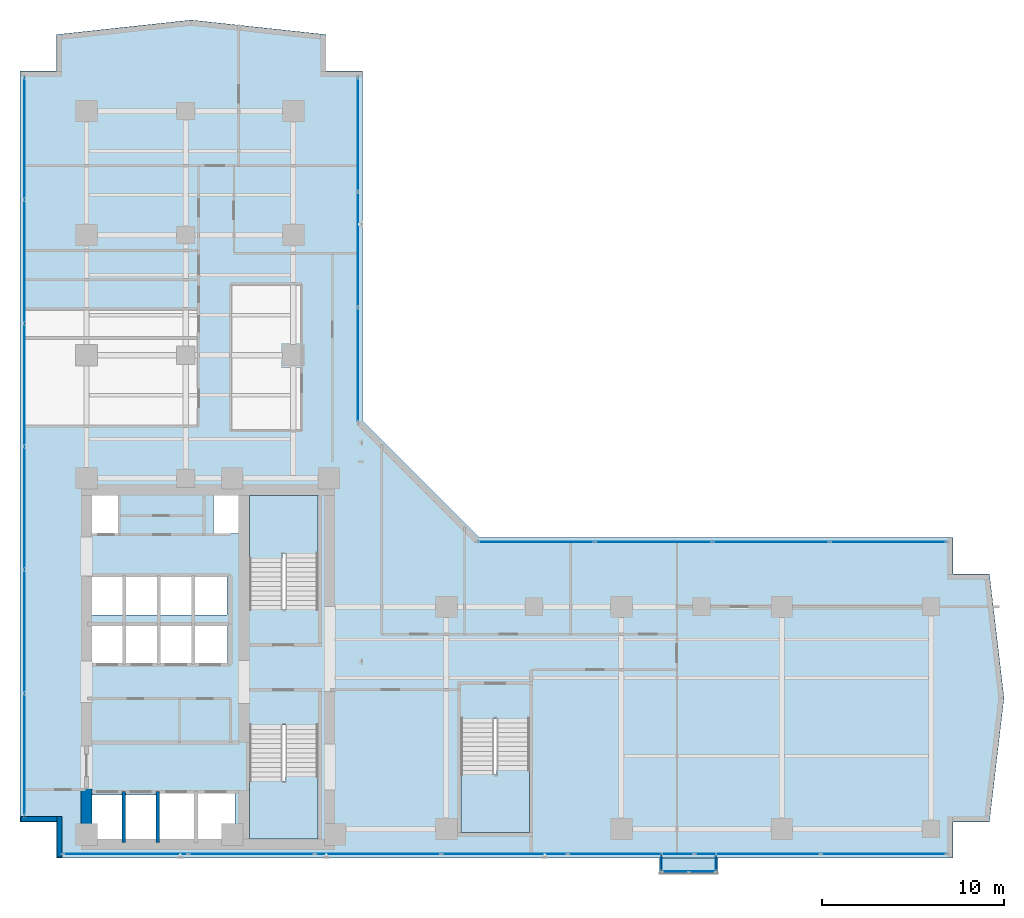
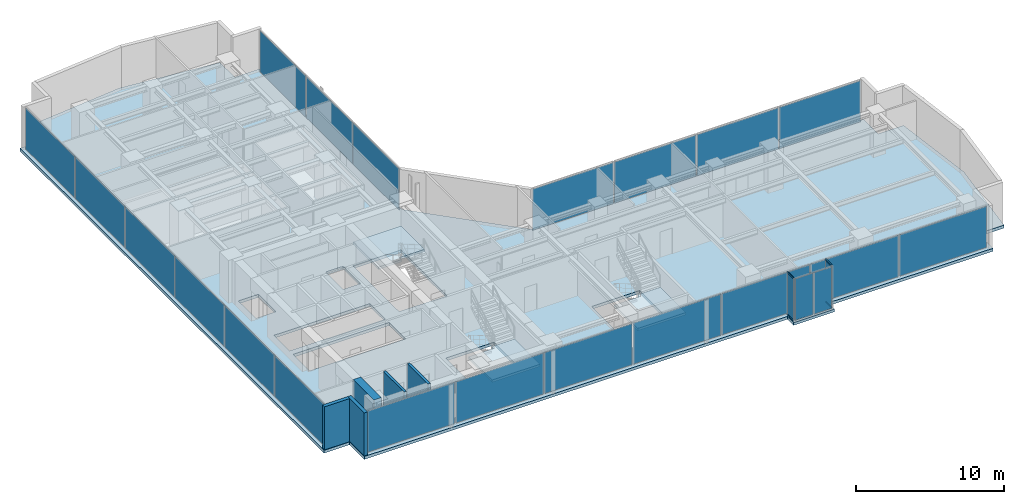
# One storey, part 18 of 26: 24 plates, 5 slabs, 5 walls, 4 members, 10 elements without a shape of their own.
"""IFC4 building model written with IfcOpenShell, lengths in metres."""

from ifc_helpers import new_model, si_unit, direction, frame, frame_2d, origin, origin_with_axes, origin_2d, place, context, subcontext, project, spatial, polyline, rectangle, hollow_rectangle, outline, extrude, source, transform, mapped, material, layer, layer_set, material_profile, profile_set, type_object, element, aggregate, save


model = new_model("IFC4")

# Units and contexts
model_context = context("Model", 3, precision=1e-05, world=origin(), true_north=direction((0.0, 1.0)))
body_context = subcontext(model_context, "Body", "Model", "MODEL_VIEW")
ifc_project = project(units=[si_unit("LENGTHUNIT", "METRE"), si_unit("AREAUNIT", "SQUARE_METRE"), si_unit("VOLUMEUNIT", "CUBIC_METRE"), si_unit("PLANEANGLEUNIT", "RADIAN"), si_unit("MASSUNIT", "GRAM", prefix="KILO")], contexts=[model_context])

# Site, building, storey
site_placement = place(None, origin())
site = spatial("IfcSite", under=ifc_project, at=site_placement, CompositionType="ELEMENT")
building_placement = place(site_placement, origin())
building = spatial("IfcBuilding", under=site, at=building_placement, Name="Kolvaren Waterfront Exchange", CompositionType="ELEMENT")
storey_placement = place(building_placement, frame((0.0, 0.0, 150.0)))
storey = spatial("IfcBuildingStorey", under=building, at=storey_placement, Name="L38", CompositionType="ELEMENT", Elevation=150.0)

# Curtain wall, members
ifc_material_1 = material(Name="Anodised bronze aluminium 6063-T6", Category="aluminium")
ifc_layer_1 = layer(ifc_material_1, 0.219970703125, Name="Anodised bronze aluminium 6063-T6")
ifc_layer_set_1 = layer_set([ifc_layer_1], Name="Anodised bronze aluminium 6063-T6")
curtain_wall_type_1 = type_object("IfcCurtainWallType", Name="ARC-CW-SYS3", PredefinedType="USERDEFINED", material=ifc_layer_set_1)
curtain_wall_1_placement = place(storey_placement, origin())
curtain_wall_1 = element("IfcCurtainWall", 1, at=curtain_wall_1_placement, inside=storey, type_object=curtain_wall_type_1, Name="L38 stick curtain wall CW3 (CW-L38-BOX-W)", ObjectType="STICK CURTAIN WALL", PredefinedType="USERDEFINED")
ifc_material_profile = material_profile(ifc_material_1, hollow_rectangle(XDim=0.06494140625, YDim=0.1298828125, WallThickness=0.00390625, at=origin_2d()), Name="ALU-TRN-130x65x4")
ifc_profile_set = profile_set([ifc_material_profile], Name="Anodised bronze aluminium 6063-T6")
member_type = type_object("IfcMemberType", Name="ARC-CWT-130", PredefinedType="USERDEFINED", material=ifc_profile_set)
shared_shape_1 = source(origin_with_axes(), body_context, "Body", "SweptSolid", [
    extrude(hollow_rectangle(XDim=0.06494140625, YDim=0.1298828125, WallThickness=0.00390625, at=origin_2d()), origin(), (0.0, 0.0, 1.0), 0.829833984375),
])
member_1_placement = place(storey_placement, frame((39.010009765625, 3.764892578125, 0.032470703125), z_axis=(0.0, -1.0, 0.0), x_axis=(1.0, 0.0, 0.0)))
member_1 = element("IfcMember", 2, at=member_1_placement, type_object=member_type, Name="CW3 transom 1.1", ObjectType="TRANSOM", PredefinedType="USERDEFINED", context=body_context, shape_type="MappedRepresentation", body=[
    mapped(shared_shape_1, transform((0.0, 0.0, 0.0), x_axis=(1.0, 0.0, 0.0), y_axis=(0.0, 1.0, 0.0), z_axis=(0.0, 0.0, 1.0), scale=1.0)),
])
member_2_placement = place(storey_placement, frame((39.010009765625, 3.764892578125, 3.527587890625), z_axis=(0.0, -1.0, 0.0), x_axis=(1.0, 0.0, 0.0)))
member_2 = element("IfcMember", 3, at=member_2_placement, type_object=member_type, Name="CW3 transom 1.2", ObjectType="TRANSOM", PredefinedType="USERDEFINED", context=body_context, shape_type="MappedRepresentation", body=[
    mapped(shared_shape_1, transform((0.0, 0.0, 0.0), x_axis=(1.0, 0.0, 0.0), y_axis=(0.0, 1.0, 0.0), z_axis=(0.0, 0.0, 1.0), scale=1.0)),
])

curtain_wall_2_placement = place(storey_placement, origin())
curtain_wall_2 = element("IfcCurtainWall", 4, at=curtain_wall_2_placement, inside=storey, type_object=curtain_wall_type_1, Name="L38 stick curtain wall CW3 (CW-L38-BOX-E)", ObjectType="STICK CURTAIN WALL", PredefinedType="USERDEFINED")
member_3_placement = place(storey_placement, frame((41.989990234375, 2.93505859375, 0.032470703125), z_axis=(0.0, 1.0, 0.0), x_axis=(-1.0, 0.0, 0.0)))
member_3 = element("IfcMember", 5, at=member_3_placement, type_object=member_type, Name="CW3 transom 1.1", ObjectType="TRANSOM", PredefinedType="USERDEFINED", context=body_context, shape_type="MappedRepresentation", body=[
    mapped(shared_shape_1, transform((0.0, 0.0, 0.0), x_axis=(1.0, 0.0, 0.0), y_axis=(0.0, 1.0, 0.0), z_axis=(0.0, 0.0, 1.0), scale=1.0)),
])
member_4_placement = place(storey_placement, frame((41.989990234375, 2.93505859375, 3.527587890625), z_axis=(0.0, 1.0, 0.0), x_axis=(-1.0, 0.0, 0.0)))
member_4 = element("IfcMember", 6, at=member_4_placement, type_object=member_type, Name="CW3 transom 1.2", ObjectType="TRANSOM", PredefinedType="USERDEFINED", context=body_context, shape_type="MappedRepresentation", body=[
    mapped(shared_shape_1, transform((0.0, 0.0, 0.0), x_axis=(1.0, 0.0, 0.0), y_axis=(0.0, 1.0, 0.0), z_axis=(0.0, 0.0, 1.0), scale=1.0)),
])

# Stair, slab
ifc_material_2 = material(Name="Concrete C40/50", Category="concrete")
stair_type = type_object("IfcStairType", Name="ARC-STAIR-3800", PredefinedType="HALF_TURN_STAIR", material=ifc_material_2)
stair_1_placement = place(storey_placement, origin())
stair_1 = element("IfcStair", 7, at=stair_1_placement, inside=storey, type_object=stair_type, Name="L38 Smoke-proof exit stair ST1", PredefinedType="HALF_TURN_STAIR")
ifc_layer_2 = layer(ifc_material_2, 0.199951171875, Name="Concrete C40/50")
ifc_layer_set_2 = layer_set([ifc_layer_2], Name="Concrete C40/50")
slab_type_1 = type_object("IfcSlabType", Name="STR-LANDING-200", PredefinedType="LANDING", material=ifc_layer_set_2)
slab_1_placement = place(storey_placement, frame((0.0, 0.0, 1.77587890625)))
slab_1 = element("IfcSlab", 8, at=slab_1_placement, type_object=slab_type_1, Name="ST1 landing 1", PredefinedType="LANDING", context=body_context, shape_type="SweptSolid", body=[
    extrude(outline(polyline([(16.39990234375, 7.840087890625), (16.39990234375, 4.64990234375), (20.159912109375, 4.64990234375), (20.159912109375, 8.10009765625), (18.360107421875, 8.10009765625), (18.360107421875, 7.840087890625), (16.39990234375, 7.840087890625)])), origin(), (0.0, 0.0, 1.0), 0.2001953125),
])
aggregate(stair_1, [slab_1])

stair_2_placement = place(storey_placement, origin())
stair_2 = element("IfcStair", 9, at=stair_2_placement, inside=storey, type_object=stair_type, Name="L38 Smoke-proof exit stair ST2", PredefinedType="HALF_TURN_STAIR")
slab_2_placement = place(storey_placement, frame((0.0, 0.0, 1.77587890625)))
slab_2 = element("IfcSlab", 10, at=slab_2_placement, type_object=slab_type_1, Name="ST2 landing 1", PredefinedType="LANDING", context=body_context, shape_type="SweptSolid", body=[
    extrude(outline(polyline([(20.159912109375, 20.31005859375), (20.159912109375, 23.5), (16.39990234375, 23.5), (16.39990234375, 20.050048828125), (18.199951171875, 20.050048828125), (18.199951171875, 20.31005859375), (20.159912109375, 20.31005859375)])), origin(), (0.0, 0.0, 1.0), 0.2001953125),
])
aggregate(stair_2, [slab_2])

stair_3_placement = place(storey_placement, origin())
stair_3 = element("IfcStair", 11, at=stair_3_placement, inside=storey, type_object=stair_type, Name="L38 Exit stair ST3", PredefinedType="HALF_TURN_STAIR")
slab_3_placement = place(storey_placement, frame((0.0, 0.0, 1.77587890625)))
slab_3 = element("IfcSlab", 12, at=slab_3_placement, type_object=slab_type_1, Name="ST3 landing 1", PredefinedType="LANDING", context=body_context, shape_type="SweptSolid", body=[
    extrude(outline(polyline([(28.0, 8.18994140625), (28.0, 5.0), (31.760009765625, 5.0), (31.760009765625, 8.449951171875), (29.9599609375, 8.449951171875), (29.9599609375, 8.18994140625), (28.0, 8.18994140625)])), origin(), (0.0, 0.0, 1.0), 0.2001953125),
])
aggregate(stair_3, [slab_3])

# Slabs
ifc_layer_3 = layer(ifc_material_2, 0.239990234375, Name="Concrete C40/50")
ifc_layer_set_3 = layer_set([ifc_layer_3], Name="Concrete C40/50")
slab_type_2 = type_object("IfcSlabType", Name="STR-SLAB-240", PredefinedType="FLOOR", material=ifc_layer_set_3)
slab_4_placement = place(storey_placement, frame((0.0, 0.0, -0.239990234375)))
element("IfcSlab", 13, at=slab_4_placement, inside=storey, type_object=slab_type_2, Name="L38 structural floor slab", PredefinedType="FLOOR", context=body_context, shape_type="SweptSolid", body=[
    extrude(outline(polyline([(5.800048828125, 3.60009765625), (55.0, 3.60009765625), (55.0, 5.60009765625), (57.0, 5.60009765625), (57.800048828125, 12.39990234375), (57.0, 19.199951171875), (55.0, 19.199951171875), (55.0, 21.199951171875), (29.0, 21.199951171875), (22.60009765625, 27.60009765625), (22.60009765625, 46.800048828125), (20.60009765625, 46.800048828125), (20.60009765625, 48.800048828125), (13.199951171875, 49.60009765625), (5.800048828125, 48.800048828125), (5.800048828125, 46.800048828125), (3.800048828125, 46.800048828125), (3.800048828125, 5.60009765625), (5.800048828125, 5.60009765625), (5.800048828125, 3.60009765625)]), holes=[polyline([(11.320068359375, 7.260009765625), (15.610107421875, 7.260009765625), (15.610107421875, 4.5400390625), (7.719970703125, 4.5400390625), (7.719970703125, 7.06005859375), (11.320068359375, 7.06005859375), (11.320068359375, 7.260009765625)]), polyline([(20.159912109375, 10.89990234375), (20.159912109375, 4.64990234375), (16.39990234375, 4.64990234375), (16.39990234375, 10.89990234375), (20.159912109375, 10.89990234375)]), polyline([(31.760009765625, 11.25), (31.760009765625, 5.0), (28.0, 5.0), (28.0, 11.25), (31.760009765625, 11.25)]), polyline([(15.18505859375, 14.239990234375), (7.64501953125, 14.239990234375), (7.64501953125, 16.4599609375), (15.18505859375, 16.4599609375), (15.18505859375, 14.239990234375)]), polyline([(15.159912109375, 16.93994140625), (7.669921875, 16.93994140625), (7.669921875, 19.06005859375), (15.159912109375, 19.06005859375), (15.159912109375, 16.93994140625)]), polyline([(16.39990234375, 23.5), (20.159912109375, 23.5), (20.159912109375, 17.25), (16.39990234375, 17.25), (16.39990234375, 23.5)]), polyline([(7.60009765625, 23.780029296875), (9.179931640625, 23.780029296875), (9.179931640625, 21.419921875), (7.60009765625, 21.419921875), (7.60009765625, 23.780029296875)]), polyline([(15.800048828125, 23.780029296875), (15.800048828125, 21.419921875), (14.419921875, 21.419921875), (14.419921875, 23.780029296875), (15.800048828125, 23.780029296875)])]), origin(), (0.0, 0.0, 1.0), 0.239990234375),
])
ifc_layer_4 = layer(ifc_material_2, 0.219970703125, Name="Concrete C40/50")
ifc_layer_set_4 = layer_set([ifc_layer_4], Name="Concrete C40/50")
slab_type_3 = type_object("IfcSlabType", Name="STR-TERR-220", PredefinedType="FLOOR", material=ifc_layer_set_4)
slab_5_placement = place(storey_placement, frame((0.0, 0.0, -0.219970703125)))
element("IfcSlab", 14, at=slab_5_placement, inside=storey, type_object=slab_type_3, Name="L38 projecting bay-box floor strip", PredefinedType="FLOOR", context=body_context, shape_type="SweptSolid", body=[
    extrude(outline(polyline([(38.89990234375, 2.75), (42.10009765625, 2.75), (42.10009765625, 3.60009765625), (38.89990234375, 3.60009765625), (38.89990234375, 2.75)])), origin(), (0.0, 0.0, 1.0), 0.219970703125),
])

# Plate
ifc_material_3 = material(Name="Bronze tinted bay-box vision glass", Category="aluminium")
ifc_layer_5 = layer(ifc_material_3, 0.02392578125, Name="Bronze tinted bay-box vision glass")
ifc_layer_set_5 = layer_set([ifc_layer_5], Name="Bronze tinted bay-box vision glass")
plate_type_1 = type_object("IfcPlateType", Name="ARC-CWP-24", PredefinedType="CURTAIN_PANEL", material=ifc_layer_set_5)
shared_shape_2 = source(origin_with_axes(), body_context, "Body", "SweptSolid", [
    extrude(rectangle(XDim=0.830078125, YDim=0.02392578125, at=origin_2d()), origin(), (0.0, 0.0, 1.0), 3.429931640625),
])
plate_1_placement = place(storey_placement, frame((39.010009765625, 3.35009765625, 0.06494140625), z_axis=(0.0, 0.0, 1.0), x_axis=(0.0, -1.0, 0.0)))
plate_1 = element("IfcPlate", 15, at=plate_1_placement, type_object=plate_type_1, Name="CW3 panel 1.1", PredefinedType="CURTAIN_PANEL", context=body_context, shape_type="MappedRepresentation", body=[
    mapped(shared_shape_2, transform((0.0, 0.0, 0.0), x_axis=(1.0, 0.0, 0.0), y_axis=(0.0, 1.0, 0.0), z_axis=(0.0, 0.0, 1.0), scale=1.0)),
])

aggregate(curtain_wall_1, [member_1, member_2, plate_1])

plate_2_placement = place(storey_placement, frame((41.989990234375, 3.35009765625, 0.06494140625), z_axis=(0.0, 0.0, 1.0), x_axis=(0.0, 1.0, 0.0)))
plate_2 = element("IfcPlate", 16, at=plate_2_placement, type_object=plate_type_1, Name="CW3 panel 1.1", PredefinedType="CURTAIN_PANEL", context=body_context, shape_type="MappedRepresentation", body=[
    mapped(shared_shape_2, transform((0.0, 0.0, 0.0), x_axis=(1.0, 0.0, 0.0), y_axis=(0.0, 1.0, 0.0), z_axis=(0.0, 0.0, 1.0), scale=1.0)),
])

aggregate(curtain_wall_2, [member_3, member_4, plate_2])

# Curtain wall, plates
curtain_wall_3_placement = place(storey_placement, origin())
curtain_wall_3 = element("IfcCurtainWall", 17, at=curtain_wall_3_placement, inside=storey, type_object=curtain_wall_type_1, Name="L38 stick curtain wall CW3 (CW-L38-BOX)", ObjectType="STICK CURTAIN WALL", PredefinedType="USERDEFINED")
shared_shape_3 = source(origin_with_axes(), body_context, "Body", "SweptSolid", [
    extrude(rectangle(XDim=1.37744140625, YDim=0.02392578125, at=origin_2d()), origin(), (0.0, 0.0, 1.0), 3.429931640625),
])
plate_3_placement = place(storey_placement, frame((39.773681640625, 2.860107421875, 0.06494140625), z_axis=(0.0, 0.0, 1.0), x_axis=(1.0, 0.0, 0.0)))
plate_3 = element("IfcPlate", 18, at=plate_3_placement, type_object=plate_type_1, Name="CW3 panel 1.1", PredefinedType="CURTAIN_PANEL", context=body_context, shape_type="MappedRepresentation", body=[
    mapped(shared_shape_3, transform((0.0, 0.0, 0.0), x_axis=(1.0, 0.0, 0.0), y_axis=(0.0, 1.0, 0.0), z_axis=(0.0, 0.0, 1.0), scale=1.0)),
])
plate_4_placement = place(storey_placement, frame((41.226318359375, 2.860107421875, 0.06494140625), z_axis=(0.0, 0.0, 1.0), x_axis=(1.0, 0.0, 0.0)))
plate_4 = element("IfcPlate", 19, at=plate_4_placement, type_object=plate_type_1, Name="CW3 panel 2.1", PredefinedType="CURTAIN_PANEL", context=body_context, shape_type="MappedRepresentation", body=[
    mapped(shared_shape_3, transform((0.0, 0.0, 0.0), x_axis=(1.0, 0.0, 0.0), y_axis=(0.0, 1.0, 0.0), z_axis=(0.0, 0.0, 1.0), scale=1.0)),
])
aggregate(curtain_wall_3, [plate_3, plate_4])

ifc_layer_6 = layer(ifc_material_1, 0.219970703125, Name="Anodised bronze aluminium 6063-T6")
ifc_layer_set_6 = layer_set([ifc_layer_6], Name="Anodised bronze aluminium 6063-T6")
curtain_wall_type_2 = type_object("IfcCurtainWallType", Name="ARC-CW-SYS1", PredefinedType="USERDEFINED", material=ifc_layer_set_6)
curtain_wall_4_placement = place(storey_placement, origin())
curtain_wall_4 = element("IfcCurtainWall", 20, at=curtain_wall_4_placement, inside=storey, type_object=curtain_wall_type_2, Name="L38 stick curtain wall CW1 (CW-L38-S)", ObjectType="STICK CURTAIN WALL", PredefinedType="USERDEFINED")
ifc_material_4 = material(Name="Bronze solar control vision glass", Category="aluminium")
ifc_layer_7 = layer(ifc_material_4, 0.028076171875, Name="Bronze solar control vision glass")
ifc_layer_set_7 = layer_set([ifc_layer_7], Name="Bronze solar control vision glass")
plate_type_2 = type_object("IfcPlateType", Name="ARC-CWP-28", PredefinedType="CURTAIN_PANEL", material=ifc_layer_set_7)
shared_shape_4 = source(origin_with_axes(), body_context, "Body", "SweptSolid", [
    extrude(rectangle(XDim=6.82275390625, YDim=0.028076171875, at=origin_2d()), origin(), (0.0, 0.0, 1.0), 3.409912109375),
])
plate_5_placement = place(storey_placement, frame((9.59130859375, 3.840087890625, 0.0751953125), z_axis=(0.0, 0.0, 1.0), x_axis=(1.0, 0.0, 0.0)))
plate_5 = element("IfcPlate", 21, at=plate_5_placement, type_object=plate_type_2, Name="CW1 panel 1.1", PredefinedType="CURTAIN_PANEL", context=body_context, shape_type="MappedRepresentation", body=[
    mapped(shared_shape_4, transform((0.0, 0.0, 0.0), x_axis=(1.0, 0.0, 0.0), y_axis=(0.0, 1.0, 0.0), z_axis=(0.0, 0.0, 1.0), scale=1.0)),
])
plate_6_placement = place(storey_placement, frame((51.20849609375, 3.840087890625, 0.0751953125), z_axis=(0.0, 0.0, 1.0), x_axis=(1.0, 0.0, 0.0)))
plate_6 = element("IfcPlate", 22, at=plate_6_placement, type_object=plate_type_2, Name="CW1 panel 7.1", PredefinedType="CURTAIN_PANEL", context=body_context, shape_type="MappedRepresentation", body=[
    mapped(shared_shape_4, transform((0.0, 0.0, 0.0), x_axis=(1.0, 0.0, 0.0), y_axis=(0.0, 1.0, 0.0), z_axis=(0.0, 0.0, 1.0), scale=1.0)),
])
shared_shape_5 = source(origin_with_axes(), body_context, "Body", "SweptSolid", [
    extrude(rectangle(XDim=6.86279296875, YDim=0.028076171875, at=origin_2d()), origin(), (0.0, 0.0, 1.0), 3.409912109375),
])
plate_7_placement = place(storey_placement, frame((16.514404296875, 3.840087890625, 0.0751953125), z_axis=(0.0, 0.0, 1.0), x_axis=(1.0, 0.0, 0.0)))
plate_7 = element("IfcPlate", 23, at=plate_7_placement, type_object=plate_type_2, Name="CW1 panel 2.1", PredefinedType="CURTAIN_PANEL", context=body_context, shape_type="MappedRepresentation", body=[
    mapped(shared_shape_5, transform((0.0, 0.0, 0.0), x_axis=(1.0, 0.0, 0.0), y_axis=(0.0, 1.0, 0.0), z_axis=(0.0, 0.0, 1.0), scale=1.0)),
])
plate_8_placement = place(storey_placement, frame((23.45703125, 3.840087890625, 0.0751953125), z_axis=(0.0, 0.0, 1.0), x_axis=(1.0, 0.0, 0.0)))
plate_8 = element("IfcPlate", 24, at=plate_8_placement, type_object=plate_type_2, Name="CW1 panel 3.1", PredefinedType="CURTAIN_PANEL", context=body_context, shape_type="MappedRepresentation", body=[
    mapped(shared_shape_5, transform((0.0, 0.0, 0.0), x_axis=(1.0, 0.0, 0.0), y_axis=(0.0, 1.0, 0.0), z_axis=(0.0, 0.0, 1.0), scale=1.0)),
])
plate_9_placement = place(storey_placement, frame((30.39990234375, 3.840087890625, 0.0751953125), z_axis=(0.0, 0.0, 1.0), x_axis=(1.0, 0.0, 0.0)))
plate_9 = element("IfcPlate", 25, at=plate_9_placement, type_object=plate_type_2, Name="CW1 panel 4.1", PredefinedType="CURTAIN_PANEL", context=body_context, shape_type="MappedRepresentation", body=[
    mapped(shared_shape_5, transform((0.0, 0.0, 0.0), x_axis=(1.0, 0.0, 0.0), y_axis=(0.0, 1.0, 0.0), z_axis=(0.0, 0.0, 1.0), scale=1.0)),
])
plate_10_placement = place(storey_placement, frame((37.3427734375, 3.840087890625, 0.0751953125), z_axis=(0.0, 0.0, 1.0), x_axis=(1.0, 0.0, 0.0)))
plate_10 = element("IfcPlate", 26, at=plate_10_placement, type_object=plate_type_2, Name="CW1 panel 5.1", PredefinedType="CURTAIN_PANEL", context=body_context, shape_type="MappedRepresentation", body=[
    mapped(shared_shape_5, transform((0.0, 0.0, 0.0), x_axis=(1.0, 0.0, 0.0), y_axis=(0.0, 1.0, 0.0), z_axis=(0.0, 0.0, 1.0), scale=1.0)),
])
plate_11_placement = place(storey_placement, frame((44.28564453125, 3.840087890625, 0.0751953125), z_axis=(0.0, 0.0, 1.0), x_axis=(1.0, 0.0, 0.0)))
plate_11 = element("IfcPlate", 27, at=plate_11_placement, type_object=plate_type_2, Name="CW1 panel 6.1", PredefinedType="CURTAIN_PANEL", context=body_context, shape_type="MappedRepresentation", body=[
    mapped(shared_shape_5, transform((0.0, 0.0, 0.0), x_axis=(1.0, 0.0, 0.0), y_axis=(0.0, 1.0, 0.0), z_axis=(0.0, 0.0, 1.0), scale=1.0)),
])
aggregate(curtain_wall_4, [plate_5, plate_7, plate_8, plate_9, plate_10, plate_11, plate_6])

curtain_wall_5_placement = place(storey_placement, origin())
curtain_wall_5 = element("IfcCurtainWall", 28, at=curtain_wall_5_placement, inside=storey, type_object=curtain_wall_type_2, Name="L38 stick curtain wall CW1 (CW-L38-NE)", ObjectType="STICK CURTAIN WALL", PredefinedType="USERDEFINED")
shared_shape_6 = source(origin_with_axes(), body_context, "Body", "SweptSolid", [
    extrude(rectangle(XDim=6.216552734375, YDim=0.028076171875, at=origin_2d()), origin(), (0.0, 0.0, 1.0), 3.409912109375),
])
plate_12_placement = place(storey_placement, frame((22.360107421875, 30.67822265625, 0.0751953125), z_axis=(0.0, 0.0, 1.0), x_axis=(0.0, 1.0, 0.0)))
plate_12 = element("IfcPlate", 29, at=plate_12_placement, type_object=plate_type_2, Name="CW1 panel 1.1", PredefinedType="CURTAIN_PANEL", context=body_context, shape_type="MappedRepresentation", body=[
    mapped(shared_shape_6, transform((0.0, 0.0, 0.0), x_axis=(1.0, 0.0, 0.0), y_axis=(0.0, 1.0, 0.0), z_axis=(0.0, 0.0, 1.0), scale=1.0)),
])
plate_13_placement = place(storey_placement, frame((22.360107421875, 43.311767578125, 0.0751953125), z_axis=(0.0, 0.0, 1.0), x_axis=(0.0, 1.0, 0.0)))
plate_13 = element("IfcPlate", 30, at=plate_13_placement, type_object=plate_type_2, Name="CW1 panel 3.1", PredefinedType="CURTAIN_PANEL", context=body_context, shape_type="MappedRepresentation", body=[
    mapped(shared_shape_6, transform((0.0, 0.0, 0.0), x_axis=(1.0, 0.0, 0.0), y_axis=(0.0, 1.0, 0.0), z_axis=(0.0, 0.0, 1.0), scale=1.0)),
])
shared_shape_7 = source(origin_with_axes(), body_context, "Body", "SweptSolid", [
    extrude(rectangle(XDim=6.256591796875, YDim=0.028076171875, at=origin_2d()), origin(), (0.0, 0.0, 1.0), 3.409912109375),
])
plate_14_placement = place(storey_placement, frame((22.360107421875, 36.9951171875, 0.0751953125), z_axis=(0.0, 0.0, 1.0), x_axis=(0.0, 1.0, 0.0)))
plate_14 = element("IfcPlate", 31, at=plate_14_placement, type_object=plate_type_2, Name="CW1 panel 2.1", PredefinedType="CURTAIN_PANEL", context=body_context, shape_type="MappedRepresentation", body=[
    mapped(shared_shape_7, transform((0.0, 0.0, 0.0), x_axis=(1.0, 0.0, 0.0), y_axis=(0.0, 1.0, 0.0), z_axis=(0.0, 0.0, 1.0), scale=1.0)),
])
aggregate(curtain_wall_5, [plate_12, plate_14, plate_13])

curtain_wall_6_placement = place(storey_placement, origin())
curtain_wall_6 = element("IfcCurtainWall", 32, at=curtain_wall_6_placement, inside=storey, type_object=curtain_wall_type_2, Name="L38 stick curtain wall CW1 (CW-L38-EN)", ObjectType="STICK CURTAIN WALL", PredefinedType="USERDEFINED")
shared_shape_8 = source(origin_with_axes(), body_context, "Body", "SweptSolid", [
    extrude(rectangle(XDim=6.33251953125, YDim=0.028076171875, at=origin_2d()), origin(), (0.0, 0.0, 1.0), 3.409912109375),
])
plate_15_placement = place(storey_placement, frame((32.13623046875, 20.9599609375, 0.0751953125), z_axis=(0.0, 0.0, 1.0), x_axis=(1.0, 0.0, 0.0)))
plate_15 = element("IfcPlate", 33, at=plate_15_placement, type_object=plate_type_2, Name="CW1 panel 1.1", PredefinedType="CURTAIN_PANEL", context=body_context, shape_type="MappedRepresentation", body=[
    mapped(shared_shape_8, transform((0.0, 0.0, 0.0), x_axis=(1.0, 0.0, 0.0), y_axis=(0.0, 1.0, 0.0), z_axis=(0.0, 0.0, 1.0), scale=1.0)),
])
plate_16_placement = place(storey_placement, frame((51.453857421875, 20.9599609375, 0.0751953125), z_axis=(0.0, 0.0, 1.0), x_axis=(1.0, 0.0, 0.0)))
plate_16 = element("IfcPlate", 34, at=plate_16_placement, type_object=plate_type_2, Name="CW1 panel 4.1", PredefinedType="CURTAIN_PANEL", context=body_context, shape_type="MappedRepresentation", body=[
    mapped(shared_shape_8, transform((0.0, 0.0, 0.0), x_axis=(1.0, 0.0, 0.0), y_axis=(0.0, 1.0, 0.0), z_axis=(0.0, 0.0, 1.0), scale=1.0)),
])
shared_shape_9 = source(origin_with_axes(), body_context, "Body", "SweptSolid", [
    extrude(rectangle(XDim=6.37255859375, YDim=0.028076171875, at=origin_2d()), origin(), (0.0, 0.0, 1.0), 3.409912109375),
])
plate_17_placement = place(storey_placement, frame((38.56884765625, 20.9599609375, 0.0751953125), z_axis=(0.0, 0.0, 1.0), x_axis=(1.0, 0.0, 0.0)))
plate_17 = element("IfcPlate", 35, at=plate_17_placement, type_object=plate_type_2, Name="CW1 panel 2.1", PredefinedType="CURTAIN_PANEL", context=body_context, shape_type="MappedRepresentation", body=[
    mapped(shared_shape_9, transform((0.0, 0.0, 0.0), x_axis=(1.0, 0.0, 0.0), y_axis=(0.0, 1.0, 0.0), z_axis=(0.0, 0.0, 1.0), scale=1.0)),
])
plate_18_placement = place(storey_placement, frame((45.021240234375, 20.9599609375, 0.0751953125), z_axis=(0.0, 0.0, 1.0), x_axis=(1.0, 0.0, 0.0)))
plate_18 = element("IfcPlate", 36, at=plate_18_placement, type_object=plate_type_2, Name="CW1 panel 3.1", PredefinedType="CURTAIN_PANEL", context=body_context, shape_type="MappedRepresentation", body=[
    mapped(shared_shape_9, transform((0.0, 0.0, 0.0), x_axis=(1.0, 0.0, 0.0), y_axis=(0.0, 1.0, 0.0), z_axis=(0.0, 0.0, 1.0), scale=1.0)),
])
aggregate(curtain_wall_6, [plate_15, plate_17, plate_18, plate_16])

ifc_material_5 = material(Name="Anodised aluminium 6063-T6", Category="aluminium")
ifc_layer_8 = layer(ifc_material_5, 0.219970703125, Name="Anodised aluminium 6063-T6")
ifc_layer_set_8 = layer_set([ifc_layer_8], Name="Anodised aluminium 6063-T6")
curtain_wall_type_3 = type_object("IfcCurtainWallType", Name="ARC-CW-SYS2", PredefinedType="USERDEFINED", material=ifc_layer_set_8)
curtain_wall_7_placement = place(storey_placement, origin())
curtain_wall_7 = element("IfcCurtainWall", 37, at=curtain_wall_7_placement, inside=storey, type_object=curtain_wall_type_3, Name="L38 stick curtain wall CW2 (CW-L38-W)", ObjectType="STICK CURTAIN WALL", PredefinedType="USERDEFINED")
ifc_material_6 = material(Name="Acoustic laminated vision glass", Category="glass")
ifc_layer_9 = layer(ifc_material_6, 0.031982421875, Name="Acoustic laminated vision glass")
ifc_layer_set_9 = layer_set([ifc_layer_9], Name="Acoustic laminated vision glass")
plate_type_3 = type_object("IfcPlateType", Name="ARC-CWP-32", PredefinedType="CURTAIN_PANEL", material=ifc_layer_set_9)
shared_shape_10 = source(origin_with_axes(), body_context, "Body", "SweptSolid", [
    extrude(rectangle(XDim=6.646728515625, YDim=0.031982421875, at=origin_2d()), origin(), (0.0, 0.0, 1.0), 3.409912109375),
])
plate_19_placement = place(storey_placement, frame((4.0400390625, 9.30322265625, 0.0751953125), z_axis=(0.0, 0.0, 1.0), x_axis=(0.0, 1.0, 0.0)))
plate_19 = element("IfcPlate", 38, at=plate_19_placement, type_object=plate_type_3, Name="CW2 panel 1.1", PredefinedType="CURTAIN_PANEL", context=body_context, shape_type="MappedRepresentation", body=[
    mapped(shared_shape_10, transform((0.0, 0.0, 0.0), x_axis=(1.0, 0.0, 0.0), y_axis=(0.0, 1.0, 0.0), z_axis=(0.0, 0.0, 1.0), scale=1.0)),
])
plate_20_placement = place(storey_placement, frame((4.0400390625, 43.0966796875, 0.0751953125), z_axis=(0.0, 0.0, 1.0), x_axis=(0.0, 1.0, 0.0)))
plate_20 = element("IfcPlate", 39, at=plate_20_placement, type_object=plate_type_3, Name="CW2 panel 6.1", PredefinedType="CURTAIN_PANEL", context=body_context, shape_type="MappedRepresentation", body=[
    mapped(shared_shape_10, transform((0.0, 0.0, 0.0), x_axis=(1.0, 0.0, 0.0), y_axis=(0.0, 1.0, 0.0), z_axis=(0.0, 0.0, 1.0), scale=1.0)),
])
shared_shape_11 = source(origin_with_axes(), body_context, "Body", "SweptSolid", [
    extrude(rectangle(XDim=6.686767578125, YDim=0.031982421875, at=origin_2d()), origin(), (0.0, 0.0, 1.0), 3.409912109375),
])
plate_21_placement = place(storey_placement, frame((4.0400390625, 16.050048828125, 0.0751953125), z_axis=(0.0, 0.0, 1.0), x_axis=(0.0, 1.0, 0.0)))
plate_21 = element("IfcPlate", 40, at=plate_21_placement, type_object=plate_type_3, Name="CW2 panel 2.1", PredefinedType="CURTAIN_PANEL", context=body_context, shape_type="MappedRepresentation", body=[
    mapped(shared_shape_11, transform((0.0, 0.0, 0.0), x_axis=(1.0, 0.0, 0.0), y_axis=(0.0, 1.0, 0.0), z_axis=(0.0, 0.0, 1.0), scale=1.0)),
])
plate_22_placement = place(storey_placement, frame((4.0400390625, 22.816650390625, 0.0751953125), z_axis=(0.0, 0.0, 1.0), x_axis=(0.0, 1.0, 0.0)))
plate_22 = element("IfcPlate", 41, at=plate_22_placement, type_object=plate_type_3, Name="CW2 panel 3.1", PredefinedType="CURTAIN_PANEL", context=body_context, shape_type="MappedRepresentation", body=[
    mapped(shared_shape_11, transform((0.0, 0.0, 0.0), x_axis=(1.0, 0.0, 0.0), y_axis=(0.0, 1.0, 0.0), z_axis=(0.0, 0.0, 1.0), scale=1.0)),
])
plate_23_placement = place(storey_placement, frame((4.0400390625, 29.583251953125, 0.0751953125), z_axis=(0.0, 0.0, 1.0), x_axis=(0.0, 1.0, 0.0)))
plate_23 = element("IfcPlate", 42, at=plate_23_placement, type_object=plate_type_3, Name="CW2 panel 4.1", PredefinedType="CURTAIN_PANEL", context=body_context, shape_type="MappedRepresentation", body=[
    mapped(shared_shape_11, transform((0.0, 0.0, 0.0), x_axis=(1.0, 0.0, 0.0), y_axis=(0.0, 1.0, 0.0), z_axis=(0.0, 0.0, 1.0), scale=1.0)),
])
plate_24_placement = place(storey_placement, frame((4.0400390625, 36.35009765625, 0.0751953125), z_axis=(0.0, 0.0, 1.0), x_axis=(0.0, 1.0, 0.0)))
plate_24 = element("IfcPlate", 43, at=plate_24_placement, type_object=plate_type_3, Name="CW2 panel 5.1", PredefinedType="CURTAIN_PANEL", context=body_context, shape_type="MappedRepresentation", body=[
    mapped(shared_shape_11, transform((0.0, 0.0, 0.0), x_axis=(1.0, 0.0, 0.0), y_axis=(0.0, 1.0, 0.0), z_axis=(0.0, 0.0, 1.0), scale=1.0)),
])
aggregate(curtain_wall_7, [plate_19, plate_21, plate_22, plate_23, plate_24, plate_20])

# Walls
ifc_material_7 = material(Name="Precast concrete C40/50", Category="concrete")
ifc_layer_10 = layer(ifc_material_7, 0.280029296875, Name="Precast concrete C40/50")
ifc_layer_set_10 = layer_set([ifc_layer_10], Name="Precast concrete C40/50")
wall_type_1 = type_object("IfcWallType", Name="ARC-EXT-TERR-280", PredefinedType="SOLIDWALL", material=ifc_layer_set_10)
wall_1_placement = place(storey_placement, frame((5.9599609375, 3.659912109375, 0.0), z_axis=(0.0, 0.0, 1.0), x_axis=(0.0, 1.0, 0.0)))
element("IfcWall", 44, at=wall_1_placement, inside=storey, type_object=wall_type_1, Name="L38 notched corner spandrel pier SW-A", PredefinedType="SOLIDWALL", context=body_context, shape_type="SweptSolid", body=[
    extrude(rectangle(XDim=2.239990234375, YDim=0.280029296875, at=frame_2d((1.1201171875, 0.0))), origin(), (0.0, 0.0, 1.0), 3.56005859375),
])
wall_2_placement = place(storey_placement, frame((3.860107421875, 5.760009765625, 0.0), z_axis=(0.0, 0.0, 1.0), x_axis=(1.0, 0.0, 0.0)))
element("IfcWall", 45, at=wall_2_placement, inside=storey, type_object=wall_type_1, Name="L38 notched corner spandrel pier SW-B", PredefinedType="SOLIDWALL", context=body_context, shape_type="SweptSolid", body=[
    extrude(rectangle(XDim=1.9599609375, YDim=0.280029296875, at=frame_2d((0.97998046875, 0.0))), origin(), (0.0, 0.0, 1.0), 3.56005859375),
])
ifc_layer_11 = layer(ifc_material_2, 0.199951171875, Name="Concrete C40/50")
ifc_layer_set_11 = layer_set([ifc_layer_11], Name="Concrete C40/50")
wall_type_2 = type_object("IfcWallType", Name="ARC-SHAFT-200", PredefinedType="PARTITIONING", material=ifc_layer_set_11)
for number, where, z_axis, x_axis, name in (
    (46, (9.5, 4.449951171875, 0.0), (0.0, 0.0, 1.0), (0.0, 1.0, 0.0), "L38 interior wall PW-L38-SH1-DIV-95"),
    (47, (11.360107421875, 4.449951171875, 0.0), (0.0, 0.0, 1.0), (0.0, 1.0, 0.0), "L38 interior wall PW-L38-SH1-DIV-113"),
):
    element("IfcWall", number, at=place(storey_placement, frame(where, z_axis=z_axis, x_axis=x_axis)), inside=storey, type_object=wall_type_2, Name=name, PredefinedType="PARTITIONING", context=body_context, shape_type="SweptSolid", body=[
        extrude(rectangle(XDim=2.800048828125, YDim=0.199951171875, at=frame_2d((1.39990234375, 0.0))), origin(), (0.0, 0.0, 1.0), 3.56005859375),
    ])
ifc_material_8 = material(Name="Concrete C60/75", Category="concrete")
ifc_layer_12 = layer(ifc_material_8, 0.60009765625, Name="Concrete C60/75")
ifc_layer_set_12 = layer_set([ifc_layer_12], Name="Concrete C60/75")
wall_type_3 = type_object("IfcWallType", Name="STR-CWALL-600", PredefinedType="SHEAR", material=ifc_layer_set_12)
wall_3_placement = place(storey_placement, frame((7.449951171875, 4.64990234375, 0.0), z_axis=(0.0, 0.0, 1.0), x_axis=(0.0, 1.0, 0.0)))
element("IfcWall", 48, at=wall_3_placement, inside=storey, type_object=wall_type_3, Name="L38 rear-core shear wall W1", PredefinedType="SHEAR", context=body_context, shape_type="SweptSolid", body=[
    extrude(rectangle(XDim=2.800048828125, YDim=0.60009765625, at=frame_2d((1.39990234375, 0.0))), origin(), (0.0, 0.0, 1.0), 3.56005859375),
])

save(model, "model.ifc")
